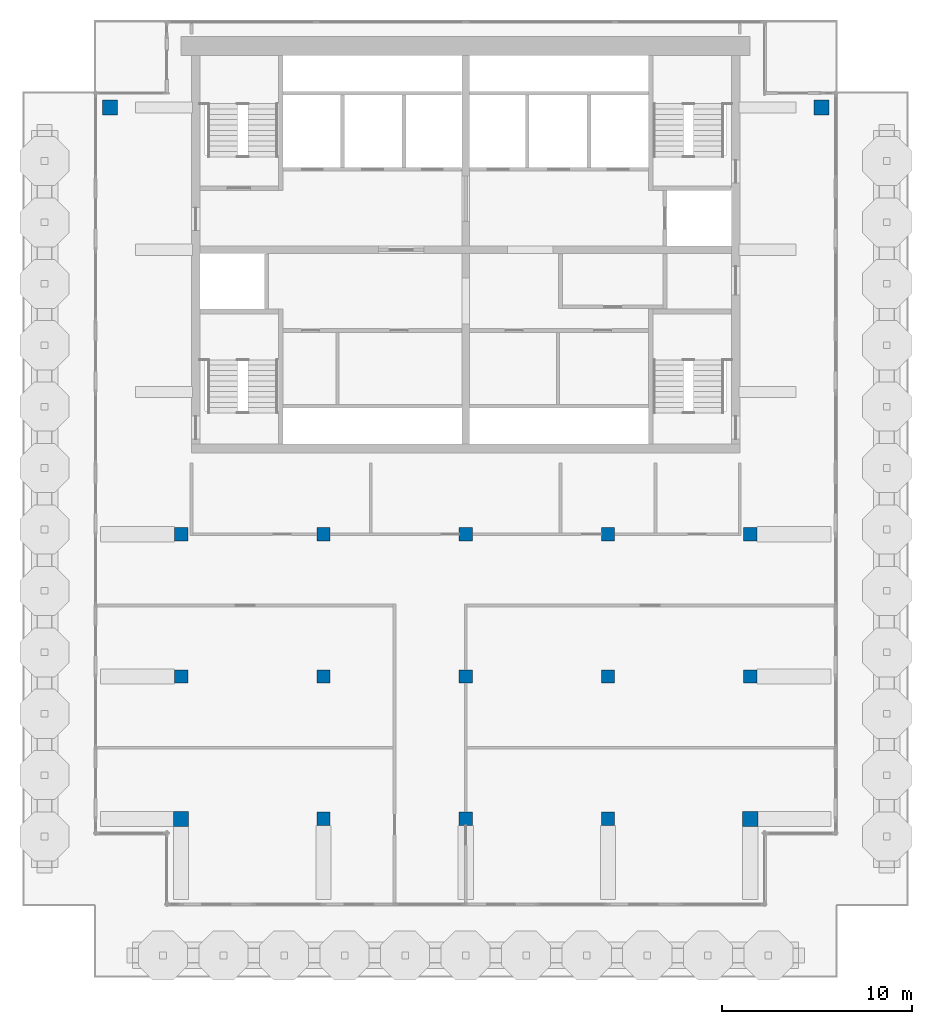
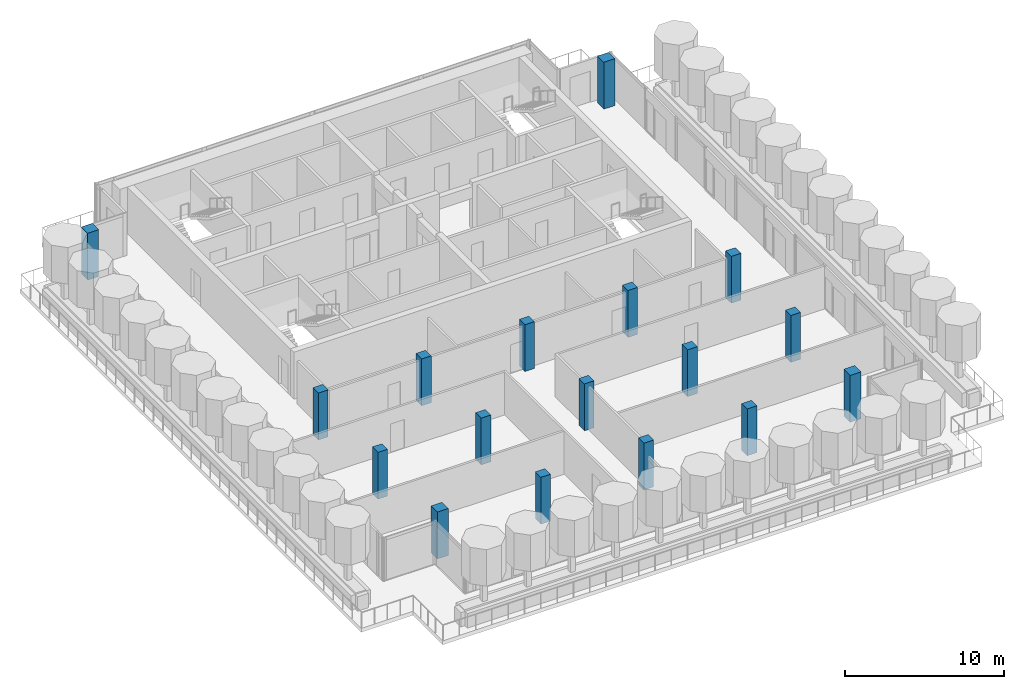
# One storey, part 1 of 15: 17 columns.
"""IFC4 building model written with IfcOpenShell, lengths in metres."""

from ifc_helpers import new_model, si_unit, direction, frame, origin, origin_2d, place, context, subcontext, project, spatial, rectangle, extrude, material, material_profile, profile_set, type_object, element, save


model = new_model("IFC4")

# Units and contexts
model_context = context("Model", 3, precision=1e-05, world=origin(), true_north=direction((0.0, 1.0)))
body_context = subcontext(model_context, "Body", "Model", "MODEL_VIEW")
ifc_project = project(units=[si_unit("LENGTHUNIT", "METRE"), si_unit("AREAUNIT", "SQUARE_METRE"), si_unit("VOLUMEUNIT", "CUBIC_METRE"), si_unit("PLANEANGLEUNIT", "RADIAN"), si_unit("MASSUNIT", "GRAM", prefix="KILO")], contexts=[model_context])

# Site, building, storey
site_placement = place(None, origin())
site = spatial("IfcSite", under=ifc_project, at=site_placement, CompositionType="ELEMENT")
building_placement = place(site_placement, origin())
building = spatial("IfcBuilding", under=site, at=building_placement, Name="Pilkhan Gate Tower", CompositionType="ELEMENT")
storey_placement = place(building_placement, frame((0.0, 0.0, 265.699951171875)))
storey = spatial("IfcBuildingStorey", under=building, at=storey_placement, Name="L69", CompositionType="ELEMENT", Elevation=265.699951171875)

# Columns
ifc_material = material(Name="Concrete C40/50", Category="concrete")
ifc_material_profile_1 = material_profile(ifc_material, rectangle(XDim=0.699951171875, YDim=0.699951171875, at=origin_2d()), Name="RC 700x700")
ifc_profile_set_1 = profile_set([ifc_material_profile_1], Name="Concrete C40/50")
column_type_1 = type_object("IfcColumnType", Name="Column C70 RC 700x700 C40/50", PredefinedType="COLUMN", material=ifc_profile_set_1)
for number, where, z_axis, x_axis, name in (
    (1, (60.0, 60.0, 0.0), (0.0, 0.0, 1.0), (1.0, 0.0, 0.0), "Column 7/F L69"),
    (2, (60.0, 67.5, 0.0), (0.0, 0.0, 1.0), (1.0, 0.0, 0.0), "Column 7/H L69"),
    (3, (67.5, 52.5, 0.0), (0.0, 0.0, 1.0), (1.0, 0.0, 0.0), "Column 9/D L69"),
    (4, (67.5, 60.0, 0.0), (0.0, 0.0, 1.0), (1.0, 0.0, 0.0), "Column 9/F L69"),
    (5, (67.5, 67.5, 0.0), (0.0, 0.0, 1.0), (1.0, 0.0, 0.0), "Column 9/H L69"),
    (6, (75.0, 52.5, 0.0), (0.0, 0.0, 1.0), (1.0, 0.0, 0.0), "Column 11/D L69"),
    (7, (75.0, 60.0, 0.0), (0.0, 0.0, 1.0), (1.0, 0.0, 0.0), "Column 11/F L69"),
    (8, (75.0, 67.5, 0.0), (0.0, 0.0, 1.0), (1.0, 0.0, 0.0), "Column 11/H L69"),
    (9, (82.5, 52.5, 0.0), (0.0, 0.0, 1.0), (1.0, 0.0, 0.0), "Column 13/D L69"),
    (10, (82.5, 60.0, 0.0), (0.0, 0.0, 1.0), (1.0, 0.0, 0.0), "Column 13/F L69"),
    (11, (82.5, 67.5, 0.0), (0.0, 0.0, 1.0), (1.0, 0.0, 0.0), "Column 13/H L69"),
    (12, (90.0, 60.0, 0.0), (0.0, 0.0, 1.0), (1.0, 0.0, 0.0), "Column 15/F L69"),
    (13, (90.0, 67.5, 0.0), (0.0, 0.0, 1.0), (1.0, 0.0, 0.0), "Column 15/H L69"),
):
    element("IfcColumn", number, at=place(storey_placement, frame(where, z_axis=z_axis, x_axis=x_axis)), inside=storey, type_object=column_type_1, Name=name, PredefinedType="COLUMN", context=body_context, shape_type="SweptSolid", body=[
        extrude(rectangle(XDim=0.699951171875, YDim=0.699951171875, at=origin_2d()), origin(), (0.0, 0.0, 1.0), 3.60009765625),
    ])
ifc_material_profile_2 = material_profile(ifc_material, rectangle(XDim=0.800048828125, YDim=0.800048828125, at=origin_2d()), Name="RC 800x800")
ifc_profile_set_2 = profile_set([ifc_material_profile_2], Name="Concrete C40/50")
column_type_2 = type_object("IfcColumnType", Name="Column C80 RC 800x800 C40/50", PredefinedType="COLUMN", material=ifc_profile_set_2)
for number, where, z_axis, x_axis, name in (
    (14, (56.25, 90.0, 0.0), (0.0, 0.0, 1.0), (1.0, 0.0, 0.0), "Column 6/P L69"),
    (15, (60.0, 52.5, 0.0), (0.0, 0.0, 1.0), (1.0, 0.0, 0.0), "Column 7/D L69"),
    (16, (90.0, 52.5, 0.0), (0.0, 0.0, 1.0), (1.0, 0.0, 0.0), "Column 15/D L69"),
    (17, (93.75, 90.0, 0.0), (0.0, 0.0, 1.0), (1.0, 0.0, 0.0), "Column 16/P L69"),
):
    element("IfcColumn", number, at=place(storey_placement, frame(where, z_axis=z_axis, x_axis=x_axis)), inside=storey, type_object=column_type_2, Name=name, PredefinedType="COLUMN", context=body_context, shape_type="SweptSolid", body=[
        extrude(rectangle(XDim=0.800048828125, YDim=0.800048828125, at=origin_2d()), origin(), (0.0, 0.0, 1.0), 3.60009765625),
    ])

save(model, "model.ifc")
